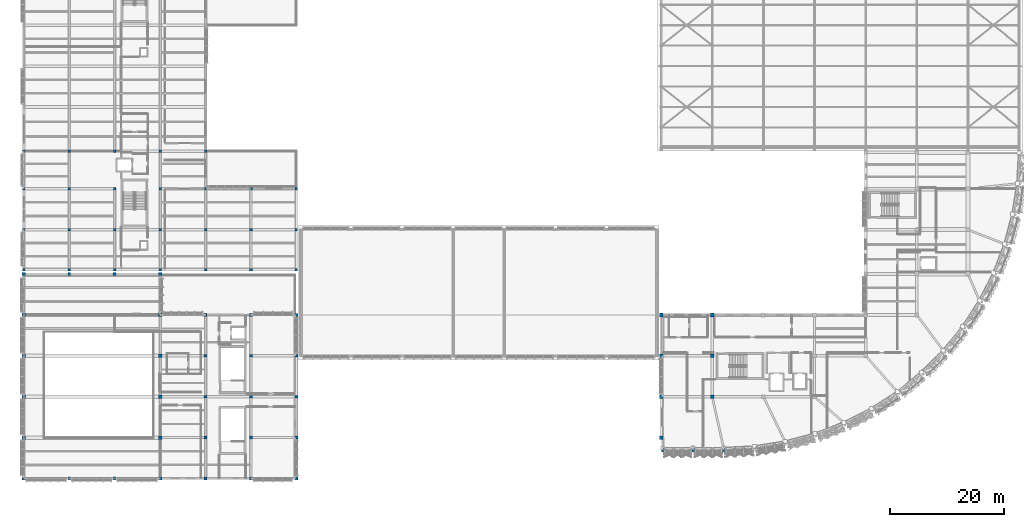
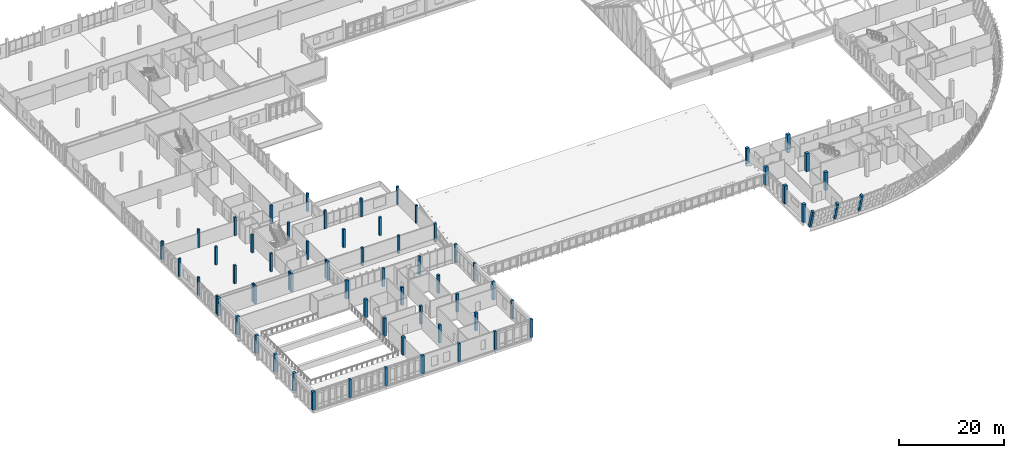
# One storey, part 1 of 182: 67 columns.
"""IFC4 building model written with IfcOpenShell, lengths in metres."""

from ifc_helpers import new_model, si_unit, direction, frame, origin, origin_2d, place, context, subcontext, project, spatial, rectangle, extrude, material, material_profile, profile_set, type_object, element, save


model = new_model("IFC4")

# Units and contexts
model_context = context("Model", 3, precision=1e-05, world=origin(), true_north=direction((0.0, 1.0)))
body_context = subcontext(model_context, "Body", "Model", "MODEL_VIEW")
ifc_project = project(units=[si_unit("LENGTHUNIT", "METRE"), si_unit("AREAUNIT", "SQUARE_METRE"), si_unit("VOLUMEUNIT", "CUBIC_METRE"), si_unit("PLANEANGLEUNIT", "RADIAN"), si_unit("MASSUNIT", "GRAM", prefix="KILO")], contexts=[model_context])

# Site, building, storey
site_placement = place(None, origin())
site = spatial("IfcSite", under=ifc_project, at=site_placement, CompositionType="ELEMENT")
building_placement = place(site_placement, origin())
building = spatial("IfcBuilding", under=site, at=building_placement, Name="Chiffa Square Polytechnic", CompositionType="ELEMENT")
storey_placement = place(building_placement, frame((0.0, 0.0, 9.60009765625)))
storey = spatial("IfcBuildingStorey", under=building, at=storey_placement, Name="L02", CompositionType="ELEMENT", Elevation=9.60009765625)

# Columns
ifc_material_1 = material(Name="Glulam GL32c", Category="wood")
ifc_material_profile_1 = material_profile(ifc_material_1, rectangle(XDim=0.449951171875, YDim=0.64990234375, at=origin_2d()), Name="GL32c 450x650")
ifc_profile_set_1 = profile_set([ifc_material_profile_1], Name="Glulam GL32c")
column_type_1 = type_object("IfcColumnType", Name="COL-RAKED-GL650", PredefinedType="USERDEFINED", material=ifc_profile_set_1)
for number, where, z_axis, x_axis, name in (
    (1, (112.449951171875, 5.35009765625, 0.0), (0.0, -0.272178827903, 0.96224668648), (1.0, 0.0, 0.0), "Outward-leaning glulam column CRK-V1-L02-01"),
    (2, (117.824951171875, 5.35009765625, 0.0), (0.0, -0.272178827903, 0.96224668648), (1.0, 0.0, 0.0), "Outward-leaning glulam column CRK-V1-L02-02"),
    (3, (123.199951171875, 5.35009765625, 0.0), (0.0, -0.272178827903, 0.96224668648), (1.0, 0.0, 0.0), "Outward-leaning glulam column CRK-V1-L02-03"),
):
    element("IfcColumn", number, at=place(storey_placement, frame(where, z_axis=z_axis, x_axis=x_axis)), inside=storey, type_object=column_type_1, Name=name, ObjectType="RAKED COLUMN", PredefinedType="USERDEFINED", context=body_context, shape_type="SweptSolid", body=[
        extrude(rectangle(XDim=0.449951171875, YDim=0.64990234375, at=origin_2d()), origin(), (0.0, 0.0, 1.0), 4.36474609375),
    ])
ifc_material_2 = material(Name="Concrete C35/45", Category="concrete")
ifc_material_profile_2 = material_profile(ifc_material_2, rectangle(XDim=0.449951171875, YDim=0.449951171875, at=origin_2d()), Name="RC 450x450")
ifc_profile_set_2 = profile_set([ifc_material_profile_2], Name="Concrete C35/45")
column_type_2 = type_object("IfcColumnType", Name="COL-RC-450", PredefinedType="COLUMN", material=ifc_profile_set_2)
for number, where, z_axis, x_axis, name in (
    (4, (0.0, 36.75, 0.0), (0.0, 0.0, 1.0), (1.0, 0.0, 0.0), "Column C-V6-L02-0000-0368"),
    (5, (0.0, 43.800048828125, 0.0), (0.0, 0.0, 1.0), (1.0, 0.0, 0.0), "Column C-V6-L02-0000-0438"),
    (6, (0.0, 51.0, 0.0), (0.0, 0.0, 1.0), (1.0, 0.0, 0.0), "Column C-V6-L02-0000-0510"),
    (7, (0.0, 57.60009765625, 0.0), (0.0, 0.0, 1.0), (1.0, 0.0, 0.0), "Column C-V6-L02-0000-0576"),
    (8, (8.0, 36.75, 0.0), (0.0, 0.0, 1.0), (1.0, 0.0, 0.0), "Column C-V6-L02-0080-0368"),
    (9, (8.0, 43.800048828125, 0.0), (0.0, 0.0, 1.0), (1.0, 0.0, 0.0), "Column C-V6-L02-0080-0438"),
    (10, (8.0, 51.0, 0.0), (0.0, 0.0, 1.0), (1.0, 0.0, 0.0), "Column C-V6-L02-0080-0510"),
    (11, (8.0, 57.60009765625, 0.0), (0.0, 0.0, 1.0), (1.0, 0.0, 0.0), "Column C-V6-L02-0080-0576"),
    (12, (16.0, 36.75, 0.0), (0.0, 0.0, 1.0), (1.0, 0.0, 0.0), "Column C-V6-L02-0160-0368"),
    (13, (16.0, 43.800048828125, 0.0), (0.0, 0.0, 1.0), (1.0, 0.0, 0.0), "Column C-V6-L02-0160-0438"),
    (14, (16.0, 51.0, 0.0), (0.0, 0.0, 1.0), (1.0, 0.0, 0.0), "Column C-V6-L02-0160-0510"),
    (15, (16.0, 57.60009765625, 0.0), (0.0, 0.0, 1.0), (1.0, 0.0, 0.0), "Column C-V6-L02-0160-0576"),
    (16, (24.0, 36.75, 0.0), (0.0, 0.0, 1.0), (1.0, 0.0, 0.0), "Column C-V6-L02-0240-0368"),
    (17, (24.0, 43.800048828125, 0.0), (0.0, 0.0, 1.0), (1.0, 0.0, 0.0), "Column C-V6-L02-0240-0438"),
    (18, (24.0, 51.0, 0.0), (0.0, 0.0, 1.0), (1.0, 0.0, 0.0), "Column C-V6-L02-0240-0510"),
    (19, (24.0, 57.60009765625, 0.0), (0.0, 0.0, 1.0), (1.0, 0.0, 0.0), "Column C-V6-L02-0240-0576"),
    (20, (32.0, 36.75, 0.0), (0.0, 0.0, 1.0), (1.0, 0.0, 0.0), "Column C-V6-L02-0320-0368"),
    (21, (32.0, 43.800048828125, 0.0), (0.0, 0.0, 1.0), (1.0, 0.0, 0.0), "Column C-V6-L02-0320-0438"),
    (22, (32.0, 51.0, 0.0), (0.0, 0.0, 1.0), (1.0, 0.0, 0.0), "Column C-V6-L02-0320-0510"),
    (23, (32.0, 57.60009765625, 0.0), (0.0, 0.0, 1.0), (1.0, 0.0, 0.0), "Column C-V6-L02-0320-0576"),
    (24, (40.0, 36.75, 0.0), (0.0, 0.0, 1.0), (1.0, 0.0, 0.0), "Column C-V6-L02-0400-0368"),
    (25, (40.0, 43.800048828125, 0.0), (0.0, 0.0, 1.0), (1.0, 0.0, 0.0), "Column C-V6-L02-0400-0438"),
    (26, (40.0, 51.0, 0.0), (0.0, 0.0, 1.0), (1.0, 0.0, 0.0), "Column C-V6-L02-0400-0510"),
    (27, (48.0, 36.75, 0.0), (0.0, 0.0, 1.0), (1.0, 0.0, 0.0), "Column C-V6-L02-0480-0368"),
    (28, (48.0, 43.800048828125, 0.0), (0.0, 0.0, 1.0), (1.0, 0.0, 0.0), "Column C-V6-L02-0480-0438"),
    (29, (48.0, 51.0, 0.0), (0.0, 0.0, 1.0), (1.0, 0.0, 0.0), "Column C-V6-L02-0480-0510"),
):
    element("IfcColumn", number, at=place(storey_placement, frame(where, z_axis=z_axis, x_axis=x_axis)), inside=storey, type_object=column_type_2, Name=name, PredefinedType="COLUMN", context=body_context, shape_type="SweptSolid", body=[
        extrude(rectangle(XDim=0.449951171875, YDim=0.449951171875, at=origin_2d()), origin(), (0.0, 0.0, 1.0), 4.199951171875),
    ])
ifc_material_profile_3 = material_profile(ifc_material_2, rectangle(XDim=0.5, YDim=0.5, at=origin_2d()), Name="RC 500x500")
ifc_profile_set_3 = profile_set([ifc_material_profile_3], Name="Concrete C35/45")
column_type_3 = type_object("IfcColumnType", Name="COL-RC-500", PredefinedType="COLUMN", material=ifc_profile_set_3)
for number, where, z_axis, x_axis, name in (
    (30, (8.0, 0.0, 0.0), (0.0, 0.0, 1.0), (1.0, 0.0, 0.0), "Column C-V3-L02-0080-0000"),
    (31, (8.0, 36.0, 0.0), (0.0, 0.0, 1.0), (1.0, 0.0, 0.0), "Column C-V3-L02-0080-0360"),
    (32, (16.0, 0.0, 0.0), (0.0, 0.0, 1.0), (1.0, 0.0, 0.0), "Column C-V3-L02-0160-0000"),
    (33, (16.0, 36.0, 0.0), (0.0, 0.0, 1.0), (1.0, 0.0, 0.0), "Column C-V3-L02-0160-0360"),
    (34, (32.0, 0.0, 0.0), (0.0, 0.0, 1.0), (1.0, 0.0, 0.0), "Column C-V3-L02-0320-0000"),
    (35, (32.0, 7.199951171875, 0.0), (0.0, 0.0, 1.0), (1.0, 0.0, 0.0), "Column C-V3-L02-0320-0072"),
    (36, (32.0, 14.39990234375, 0.0), (0.0, 0.0, 1.0), (1.0, 0.0, 0.0), "Column C-V3-L02-0320-0144"),
    (37, (32.0, 21.60009765625, 0.0), (0.0, 0.0, 1.0), (1.0, 0.0, 0.0), "Column C-V3-L02-0320-0216"),
    (38, (32.0, 28.800048828125, 0.0), (0.0, 0.0, 1.0), (1.0, 0.0, 0.0), "Column C-V3-L02-0320-0288"),
    (39, (40.0, 0.0, 0.0), (0.0, 0.0, 1.0), (1.0, 0.0, 0.0), "Column C-V3-L02-0400-0000"),
    (40, (40.0, 7.199951171875, 0.0), (0.0, 0.0, 1.0), (1.0, 0.0, 0.0), "Column C-V3-L02-0400-0072"),
    (41, (40.0, 14.39990234375, 0.0), (0.0, 0.0, 1.0), (1.0, 0.0, 0.0), "Column C-V3-L02-0400-0144"),
    (42, (40.0, 21.60009765625, 0.0), (0.0, 0.0, 1.0), (1.0, 0.0, 0.0), "Column C-V3-L02-0400-0216"),
    (43, (40.0, 28.800048828125, 0.0), (0.0, 0.0, 1.0), (1.0, 0.0, 0.0), "Column C-V3-L02-0400-0288"),
    (44, (48.0, 0.0, 0.0), (0.0, 0.0, 1.0), (1.0, 0.0, 0.0), "Column C-V3-L02-0480-0000"),
    (45, (48.0, 7.199951171875, 0.0), (0.0, 0.0, 1.0), (1.0, 0.0, 0.0), "Column C-V3-L02-0480-0072"),
    (46, (48.0, 14.39990234375, 0.0), (0.0, 0.0, 1.0), (1.0, 0.0, 0.0), "Column C-V3-L02-0480-0144"),
    (47, (48.0, 21.60009765625, 0.0), (0.0, 0.0, 1.0), (1.0, 0.0, 0.0), "Column C-V3-L02-0480-0216"),
    (48, (48.0, 28.800048828125, 0.0), (0.0, 0.0, 1.0), (1.0, 0.0, 0.0), "Column C-V3-L02-0480-0288"),
):
    element("IfcColumn", number, at=place(storey_placement, frame(where, z_axis=z_axis, x_axis=x_axis)), inside=storey, type_object=column_type_3, Name=name, PredefinedType="COLUMN", context=body_context, shape_type="SweptSolid", body=[
        extrude(rectangle(XDim=0.5, YDim=0.5, at=origin_2d()), origin(), (0.0, 0.0, 1.0), 4.199951171875),
    ])
ifc_material_3 = material(Name="Concrete C40/50", Category="concrete")
ifc_material_profile_4 = material_profile(ifc_material_3, rectangle(XDim=0.60009765625, YDim=0.60009765625, at=origin_2d()), Name="RC 600x600")
ifc_profile_set_4 = profile_set([ifc_material_profile_4], Name="Concrete C40/50")
column_type_4 = type_object("IfcColumnType", Name="COL-RC-600", PredefinedType="COLUMN", material=ifc_profile_set_4)
for number, where, z_axis, x_axis, name in (
    (49, (0.0, 0.0, 0.0), (0.0, 0.0, 1.0), (1.0, 0.0, 0.0), "Column C-V3-L02-0000-0000"),
    (50, (0.0, 7.199951171875, 0.0), (0.0, 0.0, 1.0), (1.0, 0.0, 0.0), "Column C-V3-L02-0000-0072"),
    (51, (0.0, 14.39990234375, 0.0), (0.0, 0.0, 1.0), (1.0, 0.0, 0.0), "Column C-V3-L02-0000-0144"),
    (52, (0.0, 21.60009765625, 0.0), (0.0, 0.0, 1.0), (1.0, 0.0, 0.0), "Column C-V3-L02-0000-0216"),
    (53, (0.0, 28.800048828125, 0.0), (0.0, 0.0, 1.0), (1.0, 0.0, 0.0), "Column C-V3-L02-0000-0288"),
    (54, (0.0, 36.0, 0.0), (0.0, 0.0, 1.0), (1.0, 0.0, 0.0), "Column C-V3-L02-0000-0360"),
    (55, (24.0, 0.0, 0.0), (0.0, 0.0, 1.0), (1.0, 0.0, 0.0), "Column C-V3-L02-0240-0000"),
    (56, (24.0, 7.199951171875, 0.0), (0.0, 0.0, 1.0), (1.0, 0.0, 0.0), "Column C-V3-L02-0240-0072"),
    (57, (24.0, 14.39990234375, 0.0), (0.0, 0.0, 1.0), (1.0, 0.0, 0.0), "Column C-V3-L02-0240-0144"),
    (58, (24.0, 21.60009765625, 0.0), (0.0, 0.0, 1.0), (1.0, 0.0, 0.0), "Column C-V3-L02-0240-0216"),
    (59, (24.0, 28.800048828125, 0.0), (0.0, 0.0, 1.0), (1.0, 0.0, 0.0), "Column C-V3-L02-0240-0288"),
    (60, (24.0, 36.0, 0.0), (0.0, 0.0, 1.0), (1.0, 0.0, 0.0), "Column C-V3-L02-0240-0360"),
):
    element("IfcColumn", number, at=place(storey_placement, frame(where, z_axis=z_axis, x_axis=x_axis)), inside=storey, type_object=column_type_4, Name=name, PredefinedType="COLUMN", context=body_context, shape_type="SweptSolid", body=[
        extrude(rectangle(XDim=0.60009765625, YDim=0.60009765625, at=origin_2d()), origin(), (0.0, 0.0, 1.0), 4.199951171875),
    ])
ifc_material_profile_5 = material_profile(ifc_material_3, rectangle(XDim=0.64990234375, YDim=0.64990234375, at=origin_2d()), Name="RC 650x650")
ifc_profile_set_5 = profile_set([ifc_material_profile_5], Name="Concrete C40/50")
column_type_5 = type_object("IfcColumnType", Name="COL-RC-650", PredefinedType="COLUMN", material=ifc_profile_set_5)
for number, where, z_axis, x_axis, name in (
    (61, (112.199951171875, 7.199951171875, 0.0), (0.0, 0.0, 1.0), (1.0, 0.0, 0.0), "Column C-V1-L02-1122-0072"),
    (62, (112.199951171875, 14.39990234375, 0.0), (0.0, 0.0, 1.0), (1.0, 0.0, 0.0), "Column C-V1-L02-1122-0144"),
    (63, (112.199951171875, 21.60009765625, 0.0), (0.0, 0.0, 1.0), (1.0, 0.0, 0.0), "Column C-V1-L02-1122-0216"),
    (64, (112.199951171875, 28.800048828125, 0.0), (0.0, 0.0, 1.0), (1.0, 0.0, 0.0), "Column C-V1-L02-1122-0288"),
    (65, (121.199951171875, 14.39990234375, 0.0), (0.0, 0.0, 1.0), (1.0, 0.0, 0.0), "Column C-V1-L02-1212-0144"),
    (66, (121.199951171875, 21.60009765625, 0.0), (0.0, 0.0, 1.0), (1.0, 0.0, 0.0), "Column C-V1-L02-1212-0216"),
    (67, (121.199951171875, 28.800048828125, 0.0), (0.0, 0.0, 1.0), (1.0, 0.0, 0.0), "Column C-V1-L02-1212-0288"),
):
    element("IfcColumn", number, at=place(storey_placement, frame(where, z_axis=z_axis, x_axis=x_axis)), inside=storey, type_object=column_type_5, Name=name, PredefinedType="COLUMN", context=body_context, shape_type="SweptSolid", body=[
        extrude(rectangle(XDim=0.64990234375, YDim=0.64990234375, at=origin_2d()), origin(), (0.0, 0.0, 1.0), 4.199951171875),
    ])

save(model, "model.ifc")
